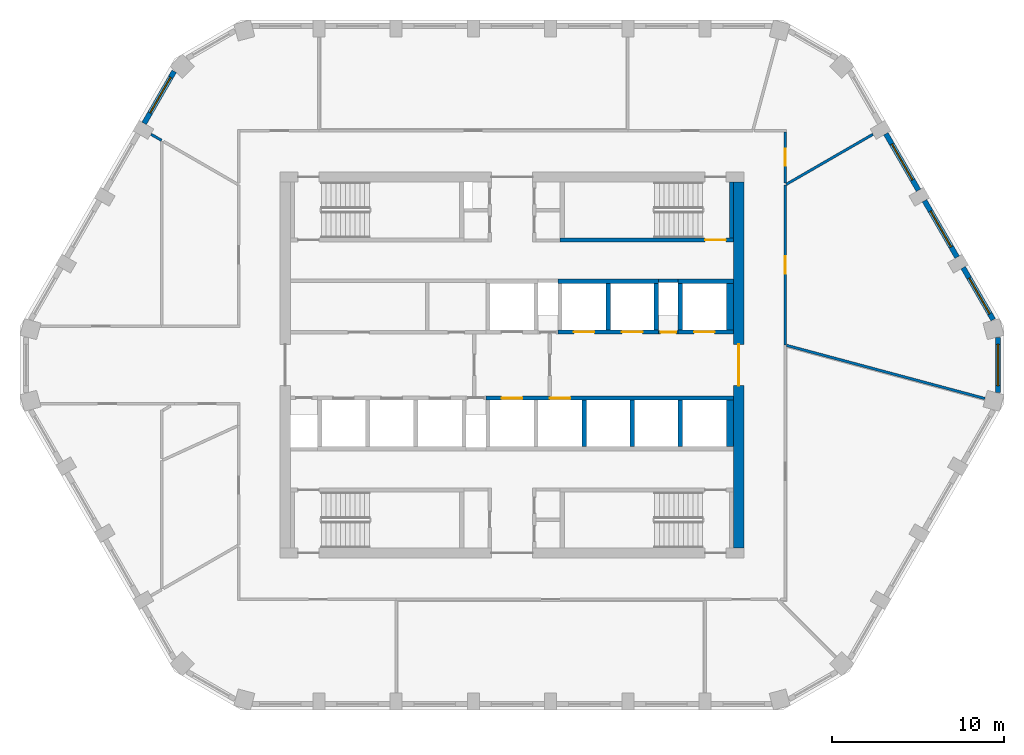
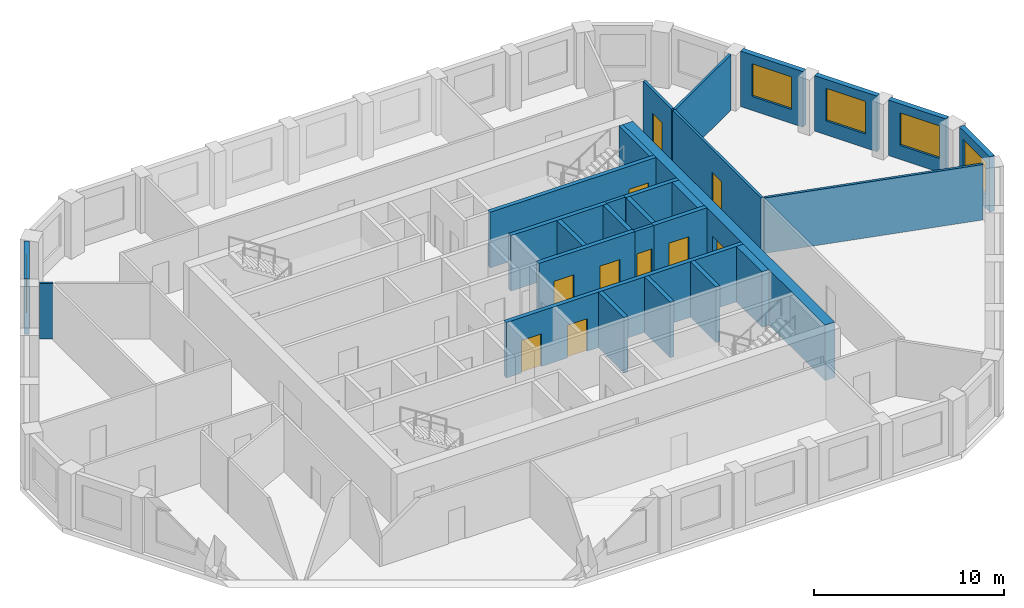
# One storey, part 5 of 10: 28 walls, 10 doors, 5 windows, 15 openings.
"""IFC4 building model written with IfcOpenShell, lengths in metres."""

import ifcopenshell
import ifcopenshell.guid

model = None  # the IFC model being written
_history = None  # IfcOwnerHistory: only IFC2X3 demands one
_inside = {}  # id of a spatial element -> (the spatial element, [elements in it])
_under = {}  # id of a project, library or spatial element -> (it, [spatial elements below it])
_declared = {}  # id of a project -> (the project, [libraries it declares])
_typed = {}  # id of a type object -> (the type object, [elements of that type])
_made_of = {}  # id of a material, layer set ... -> (it, [elements and type objects made of it])


def new_model(schema):
    """Start an empty IFC model of exactly this schema.

    Asked for "IFC4X3", IfcOpenShell would pick the latest addendum, in which some entities
    have other attributes; the version numbers below select the first issue.
    IFC2X3 requires an IfcOwnerHistory on every rooted entity: one is made here for all.
    """
    global model, _history
    if schema == "IFC4X3":
        model = ifcopenshell.file(schema_version=(4, 3, 0, 0))
    else:
        model = ifcopenshell.file(schema=schema)
    _inside.clear()
    _under.clear()
    _declared.clear()
    _typed.clear()
    _made_of.clear()
    _history = None
    if model.schema == "IFC2X3":
        org = make("IfcOrganization", Name="unknown")
        user = make(
            "IfcPersonAndOrganization",
            ThePerson=make("IfcPerson", FamilyName="unknown"),
            TheOrganization=org,
        )
        app = make(
            "IfcApplication",
            ApplicationDeveloper=org,
            Version="unknown",
            ApplicationFullName="unknown",
            ApplicationIdentifier="unknown",
        )
        _history = make(
            "IfcOwnerHistory",
            OwningUser=user,
            OwningApplication=app,
            ChangeAction="ADDED",
            CreationDate=0,
        )
    return model


def make(cls, **values):
    """One entity of the class cls with the attributes given. An attribute that is None is left unset."""
    return model.create_entity(
        cls, **{name: value for name, value in values.items() if value is not None}
    )


def rooted(cls, **values):
    """An entity with a GlobalId (a new one), such as an element, a storey or a relation."""
    return make(cls, GlobalId=ifcopenshell.guid.new(), OwnerHistory=_history, **values)


def si_unit(unit_type, name, prefix=None):
    """IfcSIUnit, for example si_unit("LENGTHUNIT", "METRE", prefix="MILLI")."""
    return make("IfcSIUnit", UnitType=unit_type, Prefix=prefix, Name=name)


def assignment(units):
    """IfcUnitAssignment: the units of a project."""
    return None if units is None else make("IfcUnitAssignment", Units=units)


def point(xyz):
    """IfcCartesianPoint."""
    return None if xyz is None else make("IfcCartesianPoint", Coordinates=xyz)


def direction(xyz):
    """IfcDirection."""
    return None if xyz is None else make("IfcDirection", DirectionRatios=xyz)


def frame(location, z_axis=None, x_axis=None):
    """IfcAxis2Placement3D, a coordinate frame: its origin and axes. An axis left out is left unset."""
    return make(
        "IfcAxis2Placement3D",
        Location=point(location),
        Axis=direction(z_axis),
        RefDirection=direction(x_axis),
    )


def frame_2d(location, x_axis=None):
    """IfcAxis2Placement2D, a coordinate frame in the plane: its origin and x axis."""
    return make(
        "IfcAxis2Placement2D", Location=point(location), RefDirection=direction(x_axis)
    )


def origin():
    """The frame at (0, 0, 0) with its axes left unset."""
    return frame((0.0, 0.0, 0.0))


def place(relative_to, where):
    """IfcLocalPlacement: puts the frame where relative to a parent placement (None: the world)."""
    return make(
        "IfcLocalPlacement", PlacementRelTo=relative_to, RelativePlacement=where
    )


def context(
    kind, dimensions, precision=None, world=None, true_north=None, identifier=None
):
    """IfcGeometricRepresentationContext, for example the 3D "Model" context."""
    return make(
        "IfcGeometricRepresentationContext",
        ContextIdentifier=identifier,
        ContextType=kind,
        CoordinateSpaceDimension=dimensions,
        Precision=precision,
        WorldCoordinateSystem=world,
        TrueNorth=true_north,
    )


def subcontext(parent, identifier, kind, view, scale=None):
    """IfcGeometricRepresentationSubContext, for example "Body" below "Model"."""
    return make(
        "IfcGeometricRepresentationSubContext",
        ContextIdentifier=identifier,
        ContextType=kind,
        ParentContext=parent,
        TargetScale=scale,
        TargetView=view,
    )


def project(units=None, contexts=None):
    """IfcProject with its units and contexts."""
    return rooted(
        "IfcProject",
        Name="project",
        RepresentationContexts=contexts,
        UnitsInContext=assignment(units),
    )


def spatial(cls, under=None, at=None, **own):
    """A site, building, storey or space (cls), placed at a placement, below another one or the project."""
    s = rooted(cls, ObjectPlacement=at, **own)
    if under is not None:
        _under.setdefault(under.id(), (under, []))[1].append(s)
    return s


def polyline(points):
    """IfcPolyline through the points."""
    return make("IfcPolyline", Points=[point(p) for p in points])


def profile(cls, at=None, kind="AREA", **sizes):
    """A parametric profile (cls). Its sizes go by their IFC names, for example OverallWidth=200.0."""
    return make(cls, ProfileType=kind, Position=at, **sizes)


def rectangle(**sizes):
    """IfcRectangleProfileDef."""
    return profile("IfcRectangleProfileDef", **sizes)


def outline(outer, holes=None, kind="AREA"):
    """IfcArbitraryClosedProfileDef: a profile drawn as a closed curve; with holes, ...WithVoids."""
    if holes is None:
        return make("IfcArbitraryClosedProfileDef", ProfileType=kind, OuterCurve=outer)
    return make(
        "IfcArbitraryProfileDefWithVoids",
        ProfileType=kind,
        OuterCurve=outer,
        InnerCurves=holes,
    )


def extrude(swept, where, along, depth):
    """IfcExtrudedAreaSolid: the profile swept, set in the frame where, extruded along a direction by depth."""
    return make(
        "IfcExtrudedAreaSolid",
        SweptArea=swept,
        Position=where,
        ExtrudedDirection=direction(along),
        Depth=depth,
    )


def shape(context_of_items, identifier, shape_type, items):
    """IfcShapeRepresentation: the items that make up one representation, for example the "Body"."""
    return make(
        "IfcShapeRepresentation",
        ContextOfItems=context_of_items,
        RepresentationIdentifier=identifier,
        RepresentationType=shape_type,
        Items=items,
    )


def material(Name=None, Category=None):
    """IfcMaterial."""
    return make("IfcMaterial", Name=Name, Category=Category)


def layer(
    of_material, thickness, ventilated=None, Name=None, Category=None, Priority=None
):
    """IfcMaterialLayer: one layer of a wall or slab, of a material (None: an air gap)."""
    return make(
        "IfcMaterialLayer",
        Material=of_material,
        LayerThickness=thickness,
        IsVentilated=ventilated,
        Name=Name,
        Category=Category,
        Priority=Priority,
    )


def layer_set(layers, Name=None):
    """IfcMaterialLayerSet."""
    return make("IfcMaterialLayerSet", MaterialLayers=layers, LayerSetName=Name)


def made_of(thing, what):
    """Note that an element or type object is made of a material, layer set ...; save() writes the relation."""
    if what is not None:
        _made_of.setdefault(what.id(), (what, []))[1].append(thing)
    return thing


def type_object(cls, material=None, **own):
    """A type object (cls), such as IfcWallType, which elements share."""
    return made_of(rooted(cls, **own), material)


def element(
    cls,
    number,
    at=None,
    inside=None,
    cuts=None,
    type_object=None,
    material=None,
    context=None,
    identifier="Body",
    shape_type=None,
    held_by="IfcProductDefinitionShape",
    body=None,
    shapes=None,
    **own,
):
    """One element of the class cls, such as IfcWall. Its Tag is "e" and its number.

    at: its placement. inside: the storey or other place that contains it. cuts: it is an
    opening in that element (IfcRelVoidsElement). A single representation is given by context,
    identifier, shape_type and body (its items); several are given by shapes. held_by: the class
    of the entity that holds the representations. save() writes the other relations.
    """
    e = rooted(cls, Tag="e%d" % number, ObjectPlacement=at, **own)
    if body is not None:
        shapes = [shape(context, identifier, shape_type, body)]
    if shapes is not None:
        e.Representation = make(held_by, Representations=shapes)
    if inside is not None:
        _inside.setdefault(inside.id(), (inside, []))[1].append(e)
    if cuts is not None:
        rooted(
            "IfcRelVoidsElement", RelatingBuildingElement=cuts, RelatedOpeningElement=e
        )
    if type_object is not None:
        _typed.setdefault(type_object.id(), (type_object, []))[1].append(e)
    return made_of(e, material)


def fill(opening, filler):
    """IfcRelFillsElement: the door or window that sits in an opening."""
    return rooted(
        "IfcRelFillsElement",
        RelatingOpeningElement=opening,
        RelatedBuildingElement=filler,
    )


def aggregate(whole, parts):
    """IfcRelAggregates: a whole, such as a stair, and the parts it consists of."""
    return rooted("IfcRelAggregates", RelatingObject=whole, RelatedObjects=parts)


def save(model, path):
    """Write the relations noted so far, then the file.

    IfcRelAggregates (storeys below a building ...), IfcRelContainedInSpatialStructure (elements
    in a storey), IfcRelDefinesByType, IfcRelAssociatesMaterial and IfcRelDeclares: one each for
    every whole, place, type object, material and project.
    """
    for whole, parts in _under.values():
        aggregate(whole, parts)
    for where, things in _inside.values():
        rooted(
            "IfcRelContainedInSpatialStructure",
            RelatedElements=things,
            RelatingStructure=where,
        )
    for kind, things in _typed.values():
        rooted("IfcRelDefinesByType", RelatedObjects=things, RelatingType=kind)
    for what, things in _made_of.values():
        rooted("IfcRelAssociatesMaterial", RelatedObjects=things, RelatingMaterial=what)
    for by, libraries in _declared.values():
        rooted("IfcRelDeclares", RelatingContext=by, RelatedDefinitions=libraries)
    model.write(path)


model = new_model("IFC4")

# Units and contexts
model_context = context("Model", 3, precision=1e-05, world=origin(), true_north=direction((0.0, 1.0)))
body_context = subcontext(model_context, "Body", "Model", "MODEL_VIEW")
ifc_project = project(units=[si_unit("LENGTHUNIT", "METRE"), si_unit("AREAUNIT", "SQUARE_METRE"), si_unit("VOLUMEUNIT", "CUBIC_METRE"), si_unit("PLANEANGLEUNIT", "RADIAN"), si_unit("MASSUNIT", "GRAM", prefix="KILO")], contexts=[model_context])

# Site, building, storey
site_placement = place(None, origin())
site = spatial("IfcSite", under=ifc_project, at=site_placement, CompositionType="ELEMENT")
building_placement = place(site_placement, origin())
building = spatial("IfcBuilding", under=site, at=building_placement, Name="Dhurran Vertical Campus", CompositionType="ELEMENT")
storey_placement = place(building_placement, frame((0.0, 0.0, 243.0)))
storey = spatial("IfcBuildingStorey", under=building, at=storey_placement, Name="L60", CompositionType="ELEMENT", Elevation=243.0)

# Wall, opening, window
ifc_material_1 = material(Name="Precast concrete C50/60", Category="concrete")
ifc_layer_1 = layer(ifc_material_1, 0.300048828125)
ifc_layer_set_1 = layer_set([ifc_layer_1], Name="Precast concrete C50/60")
wall_type_1 = type_object("IfcWallType", Name="Precast spandrel wall 300", PredefinedType="SOLIDWALL", material=ifc_layer_set_1)
wall_1_placement = place(storey_placement, frame((28.297119140625, -1.59814453125, 0.0), z_axis=(0.0, 0.0, 1.0), x_axis=(0.0, 1.0, 0.0)))
wall_1 = element("IfcWall", 1, at=wall_1_placement, inside=storey, type_object=wall_type_1, Name="EW1 L60.12", PredefinedType="SOLIDWALL", context=body_context, shape_type="SweptSolid", body=[
    extrude(rectangle(XDim=3.1962890625, YDim=0.300048828125, at=frame_2d((1.59814453125, 0.0))), origin(), (0.0, 0.0, 1.0), 3.574951171875),
])
opening_1_placement = place(wall_1_placement, frame((0.398193359375, 0.0, 0.89990234375)))
opening_1 = element("IfcOpeningElement", 2, at=opening_1_placement, cuts=wall_1, Name="Opening WT1", PredefinedType="OPENING", context=body_context, shape_type="SweptSolid", body=[
    extrude(rectangle(XDim=2.39990234375, YDim=2.10009765625, at=frame_2d((1.199951171875, 1.050048828125))), frame((0.0, 0.159912109375, 0.0), z_axis=(0.0, -1.0, 0.0), x_axis=(1.0, 0.0, 0.0)), (0.0, 0.0, 1.0), 0.320068359375),
])
ifc_material_2 = material(Name="Aluminium frame with solar-control glass", Category="aluminium")
window_type = type_object("IfcWindowType", Name="Punched window 2400 x 2100", PartitioningType="SINGLE_PANEL", PredefinedType="WINDOW", material=ifc_material_2)
window_1_placement = place(opening_1_placement, origin())
window_1 = element("IfcWindow", 3, at=window_1_placement, inside=storey, type_object=window_type, Name="WT1 L60.12", OverallHeight=2.10009765625, OverallWidth=2.39990234375, PartitioningType="SINGLE_PANEL", PredefinedType="WINDOW", context=body_context, shape_type="SweptSolid", body=[
    extrude(rectangle(XDim=2.39990234375, YDim=2.10009765625, at=frame_2d((1.199951171875, 1.050048828125))), frame((0.0, 0.030029296875, 0.0), z_axis=(0.0, -1.0, 0.0), x_axis=(1.0, 0.0, 0.0)), (0.0, 0.0, 1.0), 0.06005859375),
])
fill(opening_1, window_1)

wall_2_placement = place(storey_placement, frame((28.01806640625, 2.6396484375, 0.0), z_axis=(0.0, 0.0, 1.0), x_axis=(-0.499990325971, 0.866030989016, 0.0)))
wall_2 = element("IfcWall", 4, at=wall_2_placement, inside=storey, type_object=wall_type_1, Name="EW1 L60.13", PredefinedType="SOLIDWALL", context=body_context, shape_type="SweptSolid", body=[
    extrude(rectangle(XDim=3.49755859375, YDim=0.300048828125, at=frame_2d((1.748779296875, 0.0))), origin(), (0.0, 0.0, 1.0), 3.574951171875),
])
opening_2_placement = place(wall_2_placement, frame((0.398193359375, 0.0, 0.89990234375)))
opening_2 = element("IfcOpeningElement", 5, at=opening_2_placement, cuts=wall_2, Name="Opening WT1", PredefinedType="OPENING", context=body_context, shape_type="SweptSolid", body=[
    extrude(rectangle(XDim=2.39990234375, YDim=2.10009765625, at=frame_2d((1.199951171875, 1.050048828125))), frame((0.0, 0.159912109375, 0.0), z_axis=(0.0, -1.0, 0.0), x_axis=(1.0, 0.0, 0.0)), (0.0, 0.0, 1.0), 0.320068359375),
])
window_2_placement = place(opening_2_placement, origin())
window_2 = element("IfcWindow", 6, at=window_2_placement, inside=storey, type_object=window_type, Name="WT1 L60.13", OverallHeight=2.10009765625, OverallWidth=2.39990234375, PartitioningType="SINGLE_PANEL", PredefinedType="WINDOW", context=body_context, shape_type="SweptSolid", body=[
    extrude(rectangle(XDim=2.39990234375, YDim=2.10009765625, at=frame_2d((1.199951171875, 1.050048828125))), frame((0.0, 0.030029296875, 0.0), z_axis=(0.0, -1.0, 0.0), x_axis=(1.0, 0.0, 0.0)), (0.0, 0.0, 1.0), 0.06005859375),
])
fill(opening_2, window_2)

wall_3_placement = place(storey_placement, frame((25.918701171875, 6.275634765625, 0.0), z_axis=(0.0, 0.0, 1.0), x_axis=(-0.499982058975, 0.866035761792, 0.0)))
wall_3 = element("IfcWall", 7, at=wall_3_placement, inside=storey, type_object=wall_type_1, Name="EW1 L60.14", PredefinedType="SOLIDWALL", context=body_context, shape_type="SweptSolid", body=[
    extrude(rectangle(XDim=3.799072265625, YDim=0.300048828125, at=frame_2d((1.8994140625, 0.0))), origin(), (0.0, 0.0, 1.0), 3.574951171875),
])
opening_3_placement = place(wall_3_placement, frame((0.699462890625, 0.0, 0.89990234375)))
opening_3 = element("IfcOpeningElement", 8, at=opening_3_placement, cuts=wall_3, Name="Opening WT1", PredefinedType="OPENING", context=body_context, shape_type="SweptSolid", body=[
    extrude(rectangle(XDim=2.39990234375, YDim=2.10009765625, at=frame_2d((1.199951171875, 1.050048828125))), frame((0.0, 0.159912109375, 0.0), z_axis=(0.0, -1.0, 0.0), x_axis=(1.0, 0.0, 0.0)), (0.0, 0.0, 1.0), 0.320068359375),
])
window_3_placement = place(opening_3_placement, origin())
window_3 = element("IfcWindow", 9, at=window_3_placement, inside=storey, type_object=window_type, Name="WT1 L60.14", OverallHeight=2.10009765625, OverallWidth=2.39990234375, PartitioningType="SINGLE_PANEL", PredefinedType="WINDOW", context=body_context, shape_type="SweptSolid", body=[
    extrude(rectangle(XDim=2.39990234375, YDim=2.10009765625, at=frame_2d((1.199951171875, 1.050048828125))), frame((0.0, 0.030029296875, 0.0), z_axis=(0.0, -1.0, 0.0), x_axis=(1.0, 0.0, 0.0)), (0.0, 0.0, 1.0), 0.06005859375),
])
fill(opening_3, window_3)

wall_4_placement = place(storey_placement, frame((23.668701171875, 10.1728515625, 0.0), z_axis=(0.0, 0.0, 1.0), x_axis=(-0.499982058975, 0.866035761792, 0.0)))
wall_4 = element("IfcWall", 10, at=wall_4_placement, inside=storey, type_object=wall_type_1, Name="EW1 L60.15", PredefinedType="SOLIDWALL", context=body_context, shape_type="SweptSolid", body=[
    extrude(rectangle(XDim=3.799072265625, YDim=0.300048828125, at=frame_2d((1.8994140625, 0.0))), origin(), (0.0, 0.0, 1.0), 3.574951171875),
])
opening_4_placement = place(wall_4_placement, frame((0.699462890625, 0.0, 0.89990234375)))
opening_4 = element("IfcOpeningElement", 11, at=opening_4_placement, cuts=wall_4, Name="Opening WT1", PredefinedType="OPENING", context=body_context, shape_type="SweptSolid", body=[
    extrude(rectangle(XDim=2.39990234375, YDim=2.10009765625, at=frame_2d((1.199951171875, 1.050048828125))), frame((0.0, 0.159912109375, 0.0), z_axis=(0.0, -1.0, 0.0), x_axis=(1.0, 0.0, 0.0)), (0.0, 0.0, 1.0), 0.320068359375),
])
window_4_placement = place(opening_4_placement, origin())
window_4 = element("IfcWindow", 12, at=window_4_placement, inside=storey, type_object=window_type, Name="WT1 L60.15", OverallHeight=2.10009765625, OverallWidth=2.39990234375, PartitioningType="SINGLE_PANEL", PredefinedType="WINDOW", context=body_context, shape_type="SweptSolid", body=[
    extrude(rectangle(XDim=2.39990234375, YDim=2.10009765625, at=frame_2d((1.199951171875, 1.050048828125))), frame((0.0, 0.030029296875, 0.0), z_axis=(0.0, -1.0, 0.0), x_axis=(1.0, 0.0, 0.0)), (0.0, 0.0, 1.0), 0.06005859375),
])
fill(opening_4, window_4)

wall_5_placement = place(storey_placement, frame((-19.669921875, 17.09912109375, 0.0), z_axis=(0.0, 0.0, 1.0), x_axis=(-0.499960102815, -0.866048437209, 0.0)))
wall_5 = element("IfcWall", 13, at=wall_5_placement, inside=storey, type_object=wall_type_1, Name="EW1 L60.26", PredefinedType="SOLIDWALL", context=body_context, shape_type="SweptSolid", body=[
    extrude(rectangle(XDim=3.497802734375, YDim=0.300048828125, at=frame_2d((1.7490234375, 0.0))), origin(), (0.0, 0.0, 1.0), 3.574951171875),
])
opening_5_placement = place(wall_5_placement, frame((0.398193359375, 0.0, 0.89990234375)))
opening_5 = element("IfcOpeningElement", 14, at=opening_5_placement, cuts=wall_5, Name="Opening WT1", PredefinedType="OPENING", context=body_context, shape_type="SweptSolid", body=[
    extrude(rectangle(XDim=2.39990234375, YDim=2.10009765625, at=frame_2d((1.199951171875, 1.050048828125))), frame((0.0, 0.159912109375, 0.0), z_axis=(0.0, -1.0, 0.0), x_axis=(1.0, 0.0, 0.0)), (0.0, 0.0, 1.0), 0.320068359375),
])
window_5_placement = place(opening_5_placement, origin())
window_5 = element("IfcWindow", 15, at=window_5_placement, inside=storey, type_object=window_type, Name="WT1 L60.26", OverallHeight=2.10009765625, OverallWidth=2.39990234375, PartitioningType="SINGLE_PANEL", PredefinedType="WINDOW", context=body_context, shape_type="SweptSolid", body=[
    extrude(rectangle(XDim=2.39990234375, YDim=2.10009765625, at=frame_2d((1.199951171875, 1.050048828125))), frame((0.0, 0.030029296875, 0.0), z_axis=(0.0, -1.0, 0.0), x_axis=(1.0, 0.0, 0.0)), (0.0, 0.0, 1.0), 0.06005859375),
])
fill(opening_5, window_5)

# Wall, opening, door
ifc_material_3 = material(Name="Concrete C50/60", Category="concrete")
ifc_layer_2 = layer(ifc_material_3, 0.60009765625)
ifc_layer_set_2 = layer_set([ifc_layer_2], Name="Concrete C50/60")
wall_type_2 = type_object("IfcWallType", Name="co-CORE-WALL-C2-600", PredefinedType="SHEAR", material=ifc_layer_set_2)
wall_6_placement = place(storey_placement, frame((13.199951171875, -10.64990234375, 0.0), z_axis=(0.0, 0.0, 1.0), x_axis=(0.0, 1.0, 0.0)))
wall_6 = element("IfcWall", 16, at=wall_6_placement, inside=storey, type_object=wall_type_2, Name="Core wall E L60", PredefinedType="SHEAR", context=body_context, shape_type="SweptSolid", body=[
    extrude(rectangle(XDim=21.2998046875, YDim=0.60009765625, at=frame_2d((10.64990234375, 0.0))), origin(), (0.0, 0.0, 1.0), 3.574951171875),
])
opening_6_placement = place(wall_6_placement, frame((9.449951171875, 0.0, 0.0)))
opening_6 = element("IfcOpeningElement", 17, at=opening_6_placement, cuts=wall_6, Name="Opening CL2", PredefinedType="OPENING", context=body_context, shape_type="SweptSolid", body=[
    extrude(rectangle(XDim=2.39990234375, YDim=2.10009765625, at=frame_2d((1.199951171875, 1.050048828125))), frame((0.0, 0.31005859375, 0.0), z_axis=(0.0, -1.0, 0.0), x_axis=(1.0, 0.0, 0.0)), (0.0, 0.0, 1.0), 0.6201171875),
])
ifc_material_4 = material(Name="Fire-rated glazed door set")
door_type_1 = type_object("IfcDoorType", Name="co-D-LOBBY 2400x2100", OperationType="DOUBLE_DOOR_DOUBLE_SWING", PredefinedType="DOOR", material=ifc_material_4)
door_1_placement = place(opening_6_placement, origin())
door_1 = element("IfcDoor", 18, at=door_1_placement, inside=storey, type_object=door_type_1, Name="Lift lobby door E L60", OperationType="DOUBLE_DOOR_DOUBLE_SWING", OverallHeight=2.10009765625, OverallWidth=2.39990234375, PredefinedType="DOOR", context=body_context, shape_type="SweptSolid", body=[
    extrude(rectangle(XDim=2.39990234375, YDim=2.10009765625, at=frame_2d((1.199951171875, 1.050048828125))), frame((0.0, 0.02490234375, 0.0), z_axis=(0.0, -1.0, 0.0), x_axis=(1.0, 0.0, 0.0)), (0.0, 0.0, 1.0), 0.050048828125),
])
fill(opening_6, door_1)

ifc_material_5 = material(Name="Fire-rated masonry blockwork", Category="masonry")
ifc_layer_3 = layer(ifc_material_5, 0.199951171875)
ifc_layer_set_3 = layer_set([ifc_layer_3], Name="Fire-rated masonry blockwork")
wall_type_3 = type_object("IfcWallType", Name="co-FIRE-PARTITION-200", PredefinedType="PARTITIONING", material=ifc_layer_set_3)
wall_7_placement = place(storey_placement, frame((8.52490234375, 1.89990234375, 0.0), z_axis=(0.0, 0.0, 1.0), x_axis=(1.0, 0.0, 0.0)))
wall_7 = element("IfcWall", 19, at=wall_7_placement, inside=storey, type_object=wall_type_3, Name="Core partition fr-N2-f L60", PredefinedType="PARTITIONING", context=body_context, shape_type="SweptSolid", body=[
    extrude(rectangle(XDim=1.150146484375, YDim=0.199951171875, at=frame_2d((0.5751953125, 0.0))), origin(), (0.0, 0.0, 1.0), 3.574951171875),
])
opening_7_placement = place(wall_7_placement, frame((0.125, 0.0, 0.0)))
opening_7 = element("IfcOpeningElement", 20, at=opening_7_placement, cuts=wall_7, Name="Opening T17-C11", PredefinedType="OPENING", context=body_context, shape_type="SweptSolid", body=[
    extrude(rectangle(XDim=0.89990234375, YDim=2.10009765625, at=frame_2d((0.449951171875, 1.050048828125))), frame((0.0, 0.10986328125, 0.0), z_axis=(0.0, -1.0, 0.0), x_axis=(1.0, 0.0, 0.0)), (0.0, 0.0, 1.0), 0.219970703125),
])
ifc_material_6 = material(Name="Fire-rated timber door set", Category="wood")
door_type_2 = type_object("IfcDoorType", Name="co-D-ROOM 900x2100", OperationType="SINGLE_SWING_LEFT", PredefinedType="DOOR", material=ifc_material_6)
door_2_placement = place(opening_7_placement, origin())
door_2 = element("IfcDoor", 21, at=door_2_placement, inside=storey, type_object=door_type_2, Name="Water riser door L60", OperationType="SINGLE_SWING_LEFT", OverallHeight=2.10009765625, OverallWidth=0.89990234375, PredefinedType="DOOR", context=body_context, shape_type="SweptSolid", body=[
    extrude(rectangle(XDim=0.89990234375, YDim=2.10009765625, at=frame_2d((0.449951171875, 1.050048828125))), frame((0.0, 0.02490234375, 0.0), z_axis=(0.0, -1.0, 0.0), x_axis=(1.0, 0.0, 0.0)), (0.0, 0.0, 1.0), 0.050048828125),
])
fill(opening_7, door_2)

# Wall
wall_8_placement = place(storey_placement, frame((8.52490234375, 4.89990234375, 0.0), z_axis=(0.0, 0.0, 1.0), x_axis=(1.0, 0.0, 0.0)))
element("IfcWall", 22, at=wall_8_placement, inside=storey, type_object=wall_type_3, Name="Core partition fr-N2-b L60", PredefinedType="PARTITIONING", context=body_context, shape_type="SweptSolid", body=[
    extrude(rectangle(XDim=1.150146484375, YDim=0.199951171875, at=frame_2d((0.5751953125, 0.0))), origin(), (0.0, 0.0, 1.0), 3.574951171875),
])

# Wall, openings, doors
ifc_material_7 = material(Name="Concrete C50/60", Category="concrete")
ifc_layer_4 = layer(ifc_material_7, 0.25)
ifc_layer_set_4 = layer_set([ifc_layer_4], Name="Concrete C50/60")
wall_type_4 = type_object("IfcWallType", Name="co-SHAFT-FRONT-250", PredefinedType="SHEAR", material=ifc_layer_set_4)
wall_9_placement = place(storey_placement, frame((2.675048828125, 1.925048828125, 0.0), z_axis=(0.0, 0.0, 1.0), x_axis=(1.0, 0.0, 0.0)))
wall_9 = element("IfcWall", 23, at=wall_9_placement, inside=storey, type_object=wall_type_4, Name="Lift landing wall N L60", PredefinedType="SHEAR", context=body_context, shape_type="SweptSolid", body=[
    extrude(rectangle(XDim=5.849853515625, YDim=0.25, at=frame_2d((2.9248046875, 0.0))), origin(), (0.0, 0.0, 1.0), 3.574951171875),
])
opening_8_placement = place(wall_9_placement, frame((0.925048828125, 0.0, 0.0)))
opening_8 = element("IfcOpeningElement", 24, at=opening_8_placement, cuts=wall_9, Name="Opening LD", PredefinedType="OPENING", context=body_context, shape_type="SweptSolid", body=[
    extrude(rectangle(XDim=1.199951171875, YDim=2.10009765625, at=frame_2d((0.60009765625, 1.050048828125))), frame((0.0, 0.135009765625, 0.0), z_axis=(0.0, -1.0, 0.0), x_axis=(1.0, 0.0, 0.0)), (0.0, 0.0, 1.0), 0.27001953125),
])
opening_9_placement = place(wall_9_placement, frame((3.72509765625, 0.0, 0.0)))
opening_9 = element("IfcOpeningElement", 25, at=opening_9_placement, cuts=wall_9, Name="Opening LD", PredefinedType="OPENING", context=body_context, shape_type="SweptSolid", body=[
    extrude(rectangle(XDim=1.199951171875, YDim=2.10009765625, at=frame_2d((0.60009765625, 1.050048828125))), frame((0.0, 0.135009765625, 0.0), z_axis=(0.0, -1.0, 0.0), x_axis=(1.0, 0.0, 0.0)), (0.0, 0.0, 1.0), 0.27001953125),
])
ifc_material_8 = material(Name="Stainless steel landing door", Category="steel")
door_type_3 = type_object("IfcDoorType", Name="co-D-LANDING 1200x2100", OperationType="DOUBLE_DOOR_SLIDING", PredefinedType="DOOR", material=ifc_material_8)
door_3_placement = place(opening_8_placement, origin())
door_3 = element("IfcDoor", 26, at=door_3_placement, inside=storey, type_object=door_type_3, Name="Landing door HR1 L60", OperationType="DOUBLE_DOOR_SLIDING", OverallHeight=2.10009765625, OverallWidth=1.199951171875, PredefinedType="DOOR", context=body_context, shape_type="SweptSolid", body=[
    extrude(rectangle(XDim=1.199951171875, YDim=2.10009765625, at=frame_2d((0.60009765625, 1.050048828125))), frame((0.0, 0.02490234375, 0.0), z_axis=(0.0, -1.0, 0.0), x_axis=(1.0, 0.0, 0.0)), (0.0, 0.0, 1.0), 0.050048828125),
])
fill(opening_8, door_3)
door_4_placement = place(opening_9_placement, origin())
door_4 = element("IfcDoor", 27, at=door_4_placement, inside=storey, type_object=door_type_3, Name="Landing door HR2 L60", OperationType="DOUBLE_DOOR_SLIDING", OverallHeight=2.10009765625, OverallWidth=1.199951171875, PredefinedType="DOOR", context=body_context, shape_type="SweptSolid", body=[
    extrude(rectangle(XDim=1.199951171875, YDim=2.10009765625, at=frame_2d((0.60009765625, 1.050048828125))), frame((0.0, 0.02490234375, 0.0), z_axis=(0.0, -1.0, 0.0), x_axis=(1.0, 0.0, 0.0)), (0.0, 0.0, 1.0), 0.050048828125),
])
fill(opening_9, door_4)

# Wall, opening, door
wall_10_placement = place(storey_placement, frame((9.675048828125, 1.925048828125, 0.0), z_axis=(0.0, 0.0, 1.0), x_axis=(1.0, 0.0, 0.0)))
wall_10 = element("IfcWall", 28, at=wall_10_placement, inside=storey, type_object=wall_type_4, Name="Lift landing wall N L60", PredefinedType="SHEAR", context=body_context, shape_type="SweptSolid", body=[
    extrude(rectangle(XDim=3.224853515625, YDim=0.25, at=frame_2d((1.6123046875, 0.0))), origin(), (0.0, 0.0, 1.0), 3.574951171875),
])
opening_10_placement = place(wall_10_placement, frame((0.925048828125, 0.0, 0.0)))
opening_10 = element("IfcOpeningElement", 29, at=opening_10_placement, cuts=wall_10, Name="Opening LD", PredefinedType="OPENING", context=body_context, shape_type="SweptSolid", body=[
    extrude(rectangle(XDim=1.199951171875, YDim=2.10009765625, at=frame_2d((0.60009765625, 1.050048828125))), frame((0.0, 0.135009765625, 0.0), z_axis=(0.0, -1.0, 0.0), x_axis=(1.0, 0.0, 0.0)), (0.0, 0.0, 1.0), 0.27001953125),
])
door_5_placement = place(opening_10_placement, origin())
door_5 = element("IfcDoor", 30, at=door_5_placement, inside=storey, type_object=door_type_3, Name="Landing door SV2 L60", OperationType="DOUBLE_DOOR_SLIDING", OverallHeight=2.10009765625, OverallWidth=1.199951171875, PredefinedType="DOOR", context=body_context, shape_type="SweptSolid", body=[
    extrude(rectangle(XDim=1.199951171875, YDim=2.10009765625, at=frame_2d((0.60009765625, 1.050048828125))), frame((0.0, 0.02490234375, 0.0), z_axis=(0.0, -1.0, 0.0), x_axis=(1.0, 0.0, 0.0)), (0.0, 0.0, 1.0), 0.050048828125),
])
fill(opening_10, door_5)

# Wall, openings, doors
wall_11_placement = place(storey_placement, frame((-1.52490234375, -1.925048828125, 0.0), z_axis=(0.0, 0.0, 1.0), x_axis=(1.0, 0.0, 0.0)))
wall_11 = element("IfcWall", 31, at=wall_11_placement, inside=storey, type_object=wall_type_4, Name="Lift landing wall S L60", PredefinedType="SHEAR", context=body_context, shape_type="SweptSolid", body=[
    extrude(rectangle(XDim=14.4248046875, YDim=0.25, at=frame_2d((7.21240234375, 0.0))), origin(), (0.0, 0.0, 1.0), 3.574951171875),
])
opening_11_placement = place(wall_11_placement, frame((0.925048828125, 0.0, 0.0)))
opening_11 = element("IfcOpeningElement", 32, at=opening_11_placement, cuts=wall_11, Name="Opening LD", PredefinedType="OPENING", context=body_context, shape_type="SweptSolid", body=[
    extrude(rectangle(XDim=1.199951171875, YDim=2.10009765625, at=frame_2d((0.60009765625, 1.050048828125))), frame((0.0, 0.135009765625, 0.0), z_axis=(0.0, -1.0, 0.0), x_axis=(1.0, 0.0, 0.0)), (0.0, 0.0, 1.0), 0.27001953125),
])
opening_12_placement = place(wall_11_placement, frame((3.72509765625, 0.0, 0.0)))
opening_12 = element("IfcOpeningElement", 33, at=opening_12_placement, cuts=wall_11, Name="Opening LD", PredefinedType="OPENING", context=body_context, shape_type="SweptSolid", body=[
    extrude(rectangle(XDim=1.199951171875, YDim=2.10009765625, at=frame_2d((0.60009765625, 1.050048828125))), frame((0.0, 0.135009765625, 0.0), z_axis=(0.0, -1.0, 0.0), x_axis=(1.0, 0.0, 0.0)), (0.0, 0.0, 1.0), 0.27001953125),
])
door_6_placement = place(opening_11_placement, origin())
door_6 = element("IfcDoor", 34, at=door_6_placement, inside=storey, type_object=door_type_3, Name="Landing door FF2 L60", OperationType="DOUBLE_DOOR_SLIDING", OverallHeight=2.10009765625, OverallWidth=1.199951171875, PredefinedType="DOOR", context=body_context, shape_type="SweptSolid", body=[
    extrude(rectangle(XDim=1.199951171875, YDim=2.10009765625, at=frame_2d((0.60009765625, 1.050048828125))), frame((0.0, 0.02490234375, 0.0), z_axis=(0.0, -1.0, 0.0), x_axis=(1.0, 0.0, 0.0)), (0.0, 0.0, 1.0), 0.050048828125),
])
fill(opening_11, door_6)
door_7_placement = place(opening_12_placement, origin())
door_7 = element("IfcDoor", 35, at=door_7_placement, inside=storey, type_object=door_type_3, Name="Landing door SV1 L60", OperationType="DOUBLE_DOOR_SLIDING", OverallHeight=2.10009765625, OverallWidth=1.199951171875, PredefinedType="DOOR", context=body_context, shape_type="SweptSolid", body=[
    extrude(rectangle(XDim=1.199951171875, YDim=2.10009765625, at=frame_2d((0.60009765625, 1.050048828125))), frame((0.0, 0.02490234375, 0.0), z_axis=(0.0, -1.0, 0.0), x_axis=(1.0, 0.0, 0.0)), (0.0, 0.0, 1.0), 0.050048828125),
])
fill(opening_12, door_7)

# Walls
ifc_material_9 = material(Name="Concrete C50/60", Category="concrete")
ifc_layer_5 = layer(ifc_material_9, 0.25)
ifc_layer_set_5 = layer_set([ifc_layer_5], Name="Concrete C50/60")
wall_type_5 = type_object("IfcWallType", Name="co-SHAFT-MASS-250", PredefinedType="SHEAR", material=ifc_layer_set_5)
wall_12_placement = place(storey_placement, origin())
element("IfcWall", 36, at=wall_12_placement, inside=storey, type_object=wall_type_5, Name="Lift shaft wall N L60 2", PredefinedType="SHEAR", context=body_context, shape_type="SweptSolid", body=[
    extrude(outline(polyline([(2.675048828125, 4.75), (8.52490234375, 4.75), (8.52490234375, 5.0), (2.675048828125, 5.0), (2.675048828125, 4.75)])), origin(), (0.0, 0.0, 1.0), 3.574951171875),
])
wall_13_placement = place(storey_placement, origin())
element("IfcWall", 37, at=wall_13_placement, inside=storey, type_object=wall_type_5, Name="Lift shaft wall N L60 3", PredefinedType="SHEAR", context=body_context, shape_type="SweptSolid", body=[
    extrude(outline(polyline([(9.675048828125, 4.75), (12.89990234375, 4.75), (12.89990234375, 5.0), (9.675048828125, 5.0), (9.675048828125, 4.75)])), origin(), (0.0, 0.0, 1.0), 3.574951171875),
])
wall_14_placement = place(storey_placement, origin())
element("IfcWall", 38, at=wall_14_placement, inside=storey, type_object=wall_type_5, Name="Lift shaft wall N L60 7", PredefinedType="SHEAR", context=body_context, shape_type="SweptSolid", body=[
    extrude(outline(polyline([(5.47509765625, 2.050048828125), (5.72509765625, 2.050048828125), (5.72509765625, 4.75), (5.47509765625, 4.75), (5.47509765625, 2.050048828125)])), origin(), (0.0, 0.0, 1.0), 3.574951171875),
])
wall_15_placement = place(storey_placement, origin())
element("IfcWall", 39, at=wall_15_placement, inside=storey, type_object=wall_type_5, Name="Lift shaft wall N L60 8", PredefinedType="SHEAR", context=body_context, shape_type="SweptSolid", body=[
    extrude(outline(polyline([(8.27490234375, 2.050048828125), (8.52490234375, 2.050048828125), (8.52490234375, 4.75), (8.27490234375, 4.75), (8.27490234375, 2.050048828125)])), origin(), (0.0, 0.0, 1.0), 3.574951171875),
])
wall_16_placement = place(storey_placement, origin())
element("IfcWall", 40, at=wall_16_placement, inside=storey, type_object=wall_type_5, Name="Lift shaft wall N L60 9", PredefinedType="SHEAR", context=body_context, shape_type="SweptSolid", body=[
    extrude(outline(polyline([(9.675048828125, 2.050048828125), (9.925048828125, 2.050048828125), (9.925048828125, 4.75), (9.675048828125, 4.75), (9.675048828125, 2.050048828125)])), origin(), (0.0, 0.0, 1.0), 3.574951171875),
])
wall_17_placement = place(storey_placement, origin())
element("IfcWall", 41, at=wall_17_placement, inside=storey, type_object=wall_type_5, Name="Lift shaft wall N L60 10", PredefinedType="SHEAR", context=body_context, shape_type="SweptSolid", body=[
    extrude(outline(polyline([(12.47509765625, 2.050048828125), (12.89990234375, 2.050048828125), (12.89990234375, 4.75), (12.47509765625, 4.75), (12.47509765625, 2.050048828125)])), origin(), (0.0, 0.0, 1.0), 3.574951171875),
])
wall_18_placement = place(storey_placement, origin())
element("IfcWall", 42, at=wall_18_placement, inside=storey, type_object=wall_type_5, Name="Lift shaft wall S L60 9", PredefinedType="SHEAR", context=body_context, shape_type="SweptSolid", body=[
    extrude(outline(polyline([(4.074951171875, -4.75), (4.324951171875, -4.75), (4.324951171875, -2.050048828125), (4.074951171875, -2.050048828125), (4.074951171875, -4.75)])), origin(), (0.0, 0.0, 1.0), 3.574951171875),
])
wall_19_placement = place(storey_placement, origin())
element("IfcWall", 43, at=wall_19_placement, inside=storey, type_object=wall_type_5, Name="Lift shaft wall S L60 10", PredefinedType="SHEAR", context=body_context, shape_type="SweptSolid", body=[
    extrude(outline(polyline([(6.875, -4.75), (7.125, -4.75), (7.125, -2.050048828125), (6.875, -2.050048828125), (6.875, -4.75)])), origin(), (0.0, 0.0, 1.0), 3.574951171875),
])
wall_20_placement = place(storey_placement, origin())
element("IfcWall", 44, at=wall_20_placement, inside=storey, type_object=wall_type_5, Name="Lift shaft wall S L60 11", PredefinedType="SHEAR", context=body_context, shape_type="SweptSolid", body=[
    extrude(outline(polyline([(9.675048828125, -4.75), (9.925048828125, -4.75), (9.925048828125, -2.050048828125), (9.675048828125, -2.050048828125), (9.675048828125, -4.75)])), origin(), (0.0, 0.0, 1.0), 3.574951171875),
])
wall_21_placement = place(storey_placement, origin())
element("IfcWall", 45, at=wall_21_placement, inside=storey, type_object=wall_type_5, Name="Lift shaft wall S L60 12", PredefinedType="SHEAR", context=body_context, shape_type="SweptSolid", body=[
    extrude(outline(polyline([(12.47509765625, -4.75), (12.89990234375, -4.75), (12.89990234375, -2.050048828125), (12.47509765625, -2.050048828125), (12.47509765625, -4.75)])), origin(), (0.0, 0.0, 1.0), 3.574951171875),
])

# Wall, opening, door
ifc_material_10 = material(Name="Concrete C40/50", Category="concrete")
ifc_layer_6 = layer(ifc_material_10, 0.25)
ifc_layer_set_6 = layer_set([ifc_layer_6], Name="Concrete C40/50")
wall_type_6 = type_object("IfcWallType", Name="co-STAIR-WALL-250", PredefinedType="SHEAR", material=ifc_layer_set_6)
wall_22_placement = place(storey_placement, frame((2.800048828125, 7.27490234375, 0.0), z_axis=(0.0, 0.0, 1.0), x_axis=(1.0, 0.0, 0.0)))
wall_22 = element("IfcWall", 46, at=wall_22_placement, inside=storey, type_object=wall_type_6, Name="Stair ST2 enclosure wall L60", PredefinedType="SHEAR", context=body_context, shape_type="SweptSolid", body=[
    extrude(rectangle(XDim=10.099853515625, YDim=0.25, at=frame_2d((5.0498046875, 0.0))), origin(), (0.0, 0.0, 1.0), 3.574951171875),
])
opening_13_placement = place(wall_22_placement, frame((8.449951171875, 0.0, 0.0)))
opening_13 = element("IfcOpeningElement", 47, at=opening_13_placement, cuts=wall_22, Name="Opening SD2", PredefinedType="OPENING", context=body_context, shape_type="SweptSolid", body=[
    extrude(rectangle(XDim=1.199951171875, YDim=2.10009765625, at=frame_2d((0.60009765625, 1.050048828125))), frame((0.0, 0.135009765625, 0.0), z_axis=(0.0, -1.0, 0.0), x_axis=(1.0, 0.0, 0.0)), (0.0, 0.0, 1.0), 0.27001953125),
])
ifc_material_11 = material(Name="Fire-rated steel door set", Category="steel")
door_type_4 = type_object("IfcDoorType", Name="co-D-STAIR 1200x2100", OperationType="SINGLE_SWING_LEFT", PredefinedType="DOOR", material=ifc_material_11)
door_8_placement = place(opening_13_placement, origin())
door_8 = element("IfcDoor", 48, at=door_8_placement, inside=storey, type_object=door_type_4, Name="Stair ST2 door L60", OperationType="SINGLE_SWING_LEFT", OverallHeight=2.10009765625, OverallWidth=1.199951171875, PredefinedType="DOOR", context=body_context, shape_type="SweptSolid", body=[
    extrude(rectangle(XDim=1.199951171875, YDim=2.10009765625, at=frame_2d((0.60009765625, 1.050048828125))), frame((0.0, 0.02490234375, 0.0), z_axis=(0.0, -1.0, 0.0), x_axis=(1.0, 0.0, 0.0)), (0.0, 0.0, 1.0), 0.050048828125),
])
fill(opening_13, door_8)

# Wall
wall_23_placement = place(storey_placement, frame((12.77490234375, 7.39990234375, 0.0), z_axis=(0.0, 0.0, 1.0), x_axis=(0.0, 1.0, 0.0)))
element("IfcWall", 49, at=wall_23_placement, inside=storey, type_object=wall_type_6, Name="Stair ST2 enclosure wall L60", PredefinedType="SHEAR", context=body_context, shape_type="SweptSolid", body=[
    extrude(rectangle(XDim=3.25, YDim=0.25, at=frame_2d((1.625, 0.0))), origin(), (0.0, 0.0, 1.0), 3.574951171875),
])

# Wall, opening, door
ifc_material_12 = material(Name="Gypsum board corridor wall on steel studs", Category="steel")
ifc_layer_7 = layer(ifc_material_12, 0.14990234375)
ifc_layer_set_7 = layer_set([ifc_layer_7], Name="Gypsum board corridor wall on steel studs")
wall_type_7 = type_object("IfcWallType", Name="fl-CW-150 corridor wall", PredefinedType="PARTITIONING", material=ifc_layer_set_7)
wall_24_placement = place(storey_placement, frame((15.89990234375, 1.166015625, 0.0), z_axis=(0.0, 0.0, 1.0), x_axis=(0.0, 1.0, 0.0)))
wall_24 = element("IfcWall", 50, at=wall_24_placement, inside=storey, type_object=wall_type_7, Name="Partition 60-34", PredefinedType="PARTITIONING", context=body_context, shape_type="SweptSolid", body=[
    extrude(rectangle(XDim=9.31298828125, YDim=0.14990234375, at=frame_2d((4.656494140625, 0.0))), origin(), (0.0, 0.0, 1.0), 3.574951171875),
])
opening_14_placement = place(wall_24_placement, frame((4.156494140625, 0.0, 0.0)))
opening_14 = element("IfcOpeningElement", 51, at=opening_14_placement, cuts=wall_24, Name="Opening T17.14", PredefinedType="OPENING", context=body_context, shape_type="SweptSolid", body=[
    extrude(rectangle(XDim=1.0, YDim=2.10009765625, at=frame_2d((0.5, 1.050048828125))), frame((0.0, 0.0849609375, 0.0), z_axis=(0.0, -1.0, 0.0), x_axis=(1.0, 0.0, 0.0)), (0.0, 0.0, 1.0), 0.169921875),
])
ifc_material_13 = material(Name="Solid-core timber door set, fire-rated", Category="wood")
door_type_5 = type_object("IfcDoorType", Name="fl-D-1000x2100", OperationType="SINGLE_SWING_LEFT", PredefinedType="DOOR", material=ifc_material_13)
door_9_placement = place(opening_14_placement, origin())
door_9 = element("IfcDoor", 52, at=door_9_placement, inside=storey, type_object=door_type_5, Name="Door 60.14", OperationType="SINGLE_SWING_LEFT", OverallHeight=2.10009765625, OverallWidth=1.0, PredefinedType="DOOR", context=body_context, shape_type="SweptSolid", body=[
    extrude(rectangle(XDim=1.0, YDim=2.10009765625, at=frame_2d((0.5, 1.050048828125))), frame((0.0, 0.02490234375, 0.0), z_axis=(0.0, -1.0, 0.0), x_axis=(1.0, 0.0, 0.0)), (0.0, 0.0, 1.0), 0.050048828125),
])
fill(opening_14, door_9)

wall_25_placement = place(storey_placement, frame((15.89990234375, 10.60888671875, 0.0), z_axis=(0.0, 0.0, 1.0), x_axis=(0.0, 1.0, 0.0)))
wall_25 = element("IfcWall", 53, at=wall_25_placement, inside=storey, type_object=wall_type_7, Name="Partition 60-36", PredefinedType="PARTITIONING", context=body_context, shape_type="SweptSolid", body=[
    extrude(rectangle(XDim=2.966064453125, YDim=0.14990234375, at=frame_2d((1.48291015625, 0.0))), origin(), (0.0, 0.0, 1.0), 3.574951171875),
])
opening_15_placement = place(wall_25_placement, frame((0.98291015625, 0.0, 0.0)))
opening_15 = element("IfcOpeningElement", 54, at=opening_15_placement, cuts=wall_25, Name="Opening T17.12", PredefinedType="OPENING", context=body_context, shape_type="SweptSolid", body=[
    extrude(rectangle(XDim=1.0, YDim=2.10009765625, at=frame_2d((0.5, 1.050048828125))), frame((0.0, 0.0849609375, 0.0), z_axis=(0.0, -1.0, 0.0), x_axis=(1.0, 0.0, 0.0)), (0.0, 0.0, 1.0), 0.169921875),
])
door_10_placement = place(opening_15_placement, origin())
door_10 = element("IfcDoor", 55, at=door_10_placement, inside=storey, type_object=door_type_5, Name="Door 60.12", OperationType="SINGLE_SWING_RIGHT", OverallHeight=2.10009765625, OverallWidth=1.0, PredefinedType="DOOR", context=body_context, shape_type="SweptSolid", body=[
    extrude(rectangle(XDim=1.0, YDim=2.10009765625, at=frame_2d((0.5, 1.050048828125))), frame((0.0, 0.02490234375, 0.0), z_axis=(0.0, -1.0, 0.0), x_axis=(1.0, 0.0, 0.0)), (0.0, 0.0, 1.0), 0.050048828125),
])
fill(opening_15, door_10)

# Walls
ifc_material_14 = material(Name="Gypsum board partition on steel studs", Category="steel")
ifc_layer_8 = layer(ifc_material_14, 0.14990234375)
ifc_layer_set_8 = layer_set([ifc_layer_8], Name="Gypsum board partition on steel studs")
wall_type_8 = type_object("IfcWallType", Name="fl-PW-150 fixed partition", PredefinedType="PARTITIONING", material=ifc_layer_set_8)
wall_26_placement = place(storey_placement, frame((-21.013916015625, 13.431396484375, 0.0), z_axis=(0.0, 0.0, 1.0), x_axis=(0.866030760678, -0.499990721473, 0.0)))
element("IfcWall", 56, at=wall_26_placement, inside=storey, type_object=wall_type_8, Name="Partition 60-04", PredefinedType="PARTITIONING", context=body_context, shape_type="SweptSolid", body=[
    extrude(rectangle(XDim=0.708984375, YDim=0.14990234375, at=frame_2d((0.3544921875, 0.0))), origin(), (0.0, 0.0, 1.0), 3.574951171875),
])
wall_27_placement = place(storey_placement, frame((15.99169921875, 1.141357421875, 0.0), z_axis=(0.0, 0.0, 1.0), x_axis=(0.965910286237, -0.258877034405, 0.0)))
element("IfcWall", 57, at=wall_27_placement, inside=storey, type_object=wall_type_8, Name="Partition 60-35", PredefinedType="PARTITIONING", context=body_context, shape_type="SweptSolid", body=[
    extrude(rectangle(XDim=11.94775390625, YDim=0.14990234375, at=frame_2d((5.973876953125, 0.0))), origin(), (0.0, 0.0, 1.0), 3.574951171875),
])
wall_28_placement = place(storey_placement, frame((21.013916015625, 13.43115234375, 0.0), z_axis=(0.0, 0.0, 1.0), x_axis=(-0.866054481515, -0.499949632511, 0.0)))
element("IfcWall", 58, at=wall_28_placement, inside=storey, type_object=wall_type_8, Name="Partition 60-37", PredefinedType="PARTITIONING", context=body_context, shape_type="SweptSolid", body=[
    extrude(rectangle(XDim=5.82958984375, YDim=0.14990234375, at=frame_2d((2.914794921875, 0.0))), origin(), (0.0, 0.0, 1.0), 3.574951171875),
])

save(model, "model.ifc")
